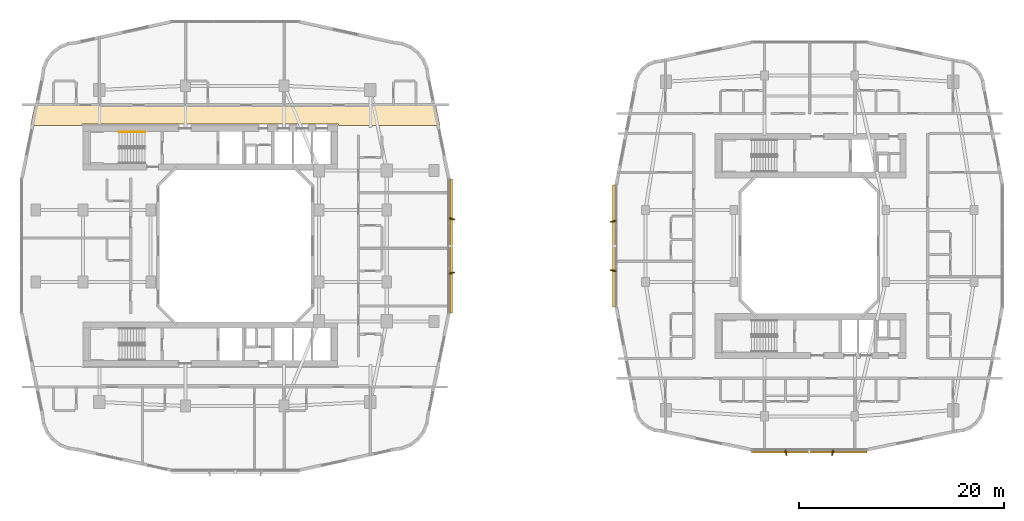
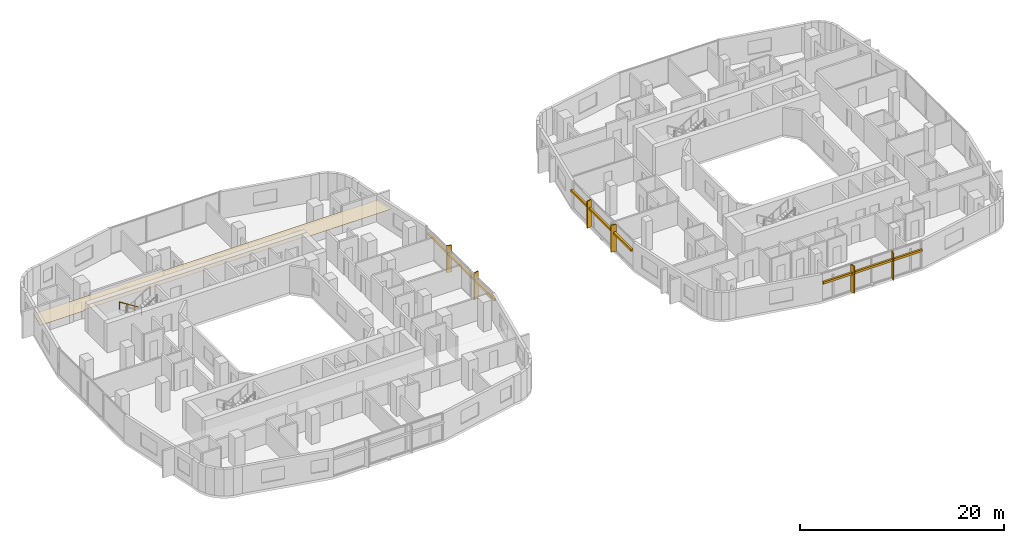
# One storey, part 26 of 27: 9 shading devices, 1 covering, 1 railing.
"""IFC4 building model written with IfcOpenShell, lengths in metres."""

import ifcopenshell
import ifcopenshell.guid

model = None  # the IFC model being written
_history = None  # IfcOwnerHistory: only IFC2X3 demands one
_inside = {}  # id of a spatial element -> (the spatial element, [elements in it])
_under = {}  # id of a project, library or spatial element -> (it, [spatial elements below it])
_declared = {}  # id of a project -> (the project, [libraries it declares])
_typed = {}  # id of a type object -> (the type object, [elements of that type])
_made_of = {}  # id of a material, layer set ... -> (it, [elements and type objects made of it])


def new_model(schema):
    """Start an empty IFC model of exactly this schema.

    Asked for "IFC4X3", IfcOpenShell would pick the latest addendum, in which some entities
    have other attributes; the version numbers below select the first issue.
    IFC2X3 requires an IfcOwnerHistory on every rooted entity: one is made here for all.
    """
    global model, _history
    if schema == "IFC4X3":
        model = ifcopenshell.file(schema_version=(4, 3, 0, 0))
    else:
        model = ifcopenshell.file(schema=schema)
    _inside.clear()
    _under.clear()
    _declared.clear()
    _typed.clear()
    _made_of.clear()
    _history = None
    if model.schema == "IFC2X3":
        org = make("IfcOrganization", Name="unknown")
        user = make(
            "IfcPersonAndOrganization",
            ThePerson=make("IfcPerson", FamilyName="unknown"),
            TheOrganization=org,
        )
        app = make(
            "IfcApplication",
            ApplicationDeveloper=org,
            Version="unknown",
            ApplicationFullName="unknown",
            ApplicationIdentifier="unknown",
        )
        _history = make(
            "IfcOwnerHistory",
            OwningUser=user,
            OwningApplication=app,
            ChangeAction="ADDED",
            CreationDate=0,
        )
    return model


def make(cls, **values):
    """One entity of the class cls with the attributes given. An attribute that is None is left unset."""
    return model.create_entity(
        cls, **{name: value for name, value in values.items() if value is not None}
    )


def rooted(cls, **values):
    """An entity with a GlobalId (a new one), such as an element, a storey or a relation."""
    return make(cls, GlobalId=ifcopenshell.guid.new(), OwnerHistory=_history, **values)


def si_unit(unit_type, name, prefix=None):
    """IfcSIUnit, for example si_unit("LENGTHUNIT", "METRE", prefix="MILLI")."""
    return make("IfcSIUnit", UnitType=unit_type, Prefix=prefix, Name=name)


def derived_unit(unit_type, elements):
    """IfcDerivedUnit: a product of units, each with its exponent."""
    return make(
        "IfcDerivedUnit",
        Elements=[
            make("IfcDerivedUnitElement", Unit=unit, Exponent=power)
            for unit, power in elements
        ],
        UnitType=unit_type,
    )


def assignment(units):
    """IfcUnitAssignment: the units of a project."""
    return None if units is None else make("IfcUnitAssignment", Units=units)


def point(xyz):
    """IfcCartesianPoint."""
    return None if xyz is None else make("IfcCartesianPoint", Coordinates=xyz)


def direction(xyz):
    """IfcDirection."""
    return None if xyz is None else make("IfcDirection", DirectionRatios=xyz)


def frame(location, z_axis=None, x_axis=None):
    """IfcAxis2Placement3D, a coordinate frame: its origin and axes. An axis left out is left unset."""
    return make(
        "IfcAxis2Placement3D",
        Location=point(location),
        Axis=direction(z_axis),
        RefDirection=direction(x_axis),
    )


def frame_2d(location, x_axis=None):
    """IfcAxis2Placement2D, a coordinate frame in the plane: its origin and x axis."""
    return make(
        "IfcAxis2Placement2D", Location=point(location), RefDirection=direction(x_axis)
    )


def origin():
    """The frame at (0, 0, 0) with its axes left unset."""
    return frame((0.0, 0.0, 0.0))


def origin_2d():
    """The frame at (0, 0) in the plane with its x axis left unset."""
    return frame_2d((0.0, 0.0))


def place(relative_to, where):
    """IfcLocalPlacement: puts the frame where relative to a parent placement (None: the world)."""
    return make(
        "IfcLocalPlacement", PlacementRelTo=relative_to, RelativePlacement=where
    )


def context(
    kind, dimensions, precision=None, world=None, true_north=None, identifier=None
):
    """IfcGeometricRepresentationContext, for example the 3D "Model" context."""
    return make(
        "IfcGeometricRepresentationContext",
        ContextIdentifier=identifier,
        ContextType=kind,
        CoordinateSpaceDimension=dimensions,
        Precision=precision,
        WorldCoordinateSystem=world,
        TrueNorth=true_north,
    )


def subcontext(parent, identifier, kind, view, scale=None):
    """IfcGeometricRepresentationSubContext, for example "Body" below "Model"."""
    return make(
        "IfcGeometricRepresentationSubContext",
        ContextIdentifier=identifier,
        ContextType=kind,
        ParentContext=parent,
        TargetScale=scale,
        TargetView=view,
    )


def project(units=None, contexts=None):
    """IfcProject with its units and contexts."""
    return rooted(
        "IfcProject",
        Name="project",
        RepresentationContexts=contexts,
        UnitsInContext=assignment(units),
    )


def spatial(cls, under=None, at=None, **own):
    """A site, building, storey or space (cls), placed at a placement, below another one or the project."""
    s = rooted(cls, ObjectPlacement=at, **own)
    if under is not None:
        _under.setdefault(under.id(), (under, []))[1].append(s)
    return s


def polyline(points):
    """IfcPolyline through the points."""
    return make("IfcPolyline", Points=[point(p) for p in points])


def profile(cls, at=None, kind="AREA", **sizes):
    """A parametric profile (cls). Its sizes go by their IFC names, for example OverallWidth=200.0."""
    return make(cls, ProfileType=kind, Position=at, **sizes)


def rectangle(**sizes):
    """IfcRectangleProfileDef."""
    return profile("IfcRectangleProfileDef", **sizes)


def circle(**sizes):
    """IfcCircleProfileDef."""
    return profile("IfcCircleProfileDef", **sizes)


def outline(outer, holes=None, kind="AREA"):
    """IfcArbitraryClosedProfileDef: a profile drawn as a closed curve; with holes, ...WithVoids."""
    if holes is None:
        return make("IfcArbitraryClosedProfileDef", ProfileType=kind, OuterCurve=outer)
    return make(
        "IfcArbitraryProfileDefWithVoids",
        ProfileType=kind,
        OuterCurve=outer,
        InnerCurves=holes,
    )


def extrude(swept, where, along, depth):
    """IfcExtrudedAreaSolid: the profile swept, set in the frame where, extruded along a direction by depth."""
    return make(
        "IfcExtrudedAreaSolid",
        SweptArea=swept,
        Position=where,
        ExtrudedDirection=direction(along),
        Depth=depth,
    )


def shape(context_of_items, identifier, shape_type, items):
    """IfcShapeRepresentation: the items that make up one representation, for example the "Body"."""
    return make(
        "IfcShapeRepresentation",
        ContextOfItems=context_of_items,
        RepresentationIdentifier=identifier,
        RepresentationType=shape_type,
        Items=items,
    )


def material(Name=None, Category=None):
    """IfcMaterial."""
    return make("IfcMaterial", Name=Name, Category=Category)


def layer(
    of_material, thickness, ventilated=None, Name=None, Category=None, Priority=None
):
    """IfcMaterialLayer: one layer of a wall or slab, of a material (None: an air gap)."""
    return make(
        "IfcMaterialLayer",
        Material=of_material,
        LayerThickness=thickness,
        IsVentilated=ventilated,
        Name=Name,
        Category=Category,
        Priority=Priority,
    )


def layer_set(layers, Name=None):
    """IfcMaterialLayerSet."""
    return make("IfcMaterialLayerSet", MaterialLayers=layers, LayerSetName=Name)


def made_of(thing, what):
    """Note that an element or type object is made of a material, layer set ...; save() writes the relation."""
    if what is not None:
        _made_of.setdefault(what.id(), (what, []))[1].append(thing)
    return thing


def type_object(cls, material=None, **own):
    """A type object (cls), such as IfcWallType, which elements share."""
    return made_of(rooted(cls, **own), material)


def element(
    cls,
    number,
    at=None,
    inside=None,
    cuts=None,
    type_object=None,
    material=None,
    context=None,
    identifier="Body",
    shape_type=None,
    held_by="IfcProductDefinitionShape",
    body=None,
    shapes=None,
    **own,
):
    """One element of the class cls, such as IfcWall. Its Tag is "e" and its number.

    at: its placement. inside: the storey or other place that contains it. cuts: it is an
    opening in that element (IfcRelVoidsElement). A single representation is given by context,
    identifier, shape_type and body (its items); several are given by shapes. held_by: the class
    of the entity that holds the representations. save() writes the other relations.
    """
    e = rooted(cls, Tag="e%d" % number, ObjectPlacement=at, **own)
    if body is not None:
        shapes = [shape(context, identifier, shape_type, body)]
    if shapes is not None:
        e.Representation = make(held_by, Representations=shapes)
    if inside is not None:
        _inside.setdefault(inside.id(), (inside, []))[1].append(e)
    if cuts is not None:
        rooted(
            "IfcRelVoidsElement", RelatingBuildingElement=cuts, RelatedOpeningElement=e
        )
    if type_object is not None:
        _typed.setdefault(type_object.id(), (type_object, []))[1].append(e)
    return made_of(e, material)


def aggregate(whole, parts):
    """IfcRelAggregates: a whole, such as a stair, and the parts it consists of."""
    return rooted("IfcRelAggregates", RelatingObject=whole, RelatedObjects=parts)


def save(model, path):
    """Write the relations noted so far, then the file.

    IfcRelAggregates (storeys below a building ...), IfcRelContainedInSpatialStructure (elements
    in a storey), IfcRelDefinesByType, IfcRelAssociatesMaterial and IfcRelDeclares: one each for
    every whole, place, type object, material and project.
    """
    for whole, parts in _under.values():
        aggregate(whole, parts)
    for where, things in _inside.values():
        rooted(
            "IfcRelContainedInSpatialStructure",
            RelatedElements=things,
            RelatingStructure=where,
        )
    for kind, things in _typed.values():
        rooted("IfcRelDefinesByType", RelatedObjects=things, RelatingType=kind)
    for what, things in _made_of.values():
        rooted("IfcRelAssociatesMaterial", RelatedObjects=things, RelatingMaterial=what)
    for by, libraries in _declared.values():
        rooted("IfcRelDeclares", RelatingContext=by, RelatedDefinitions=libraries)
    model.write(path)


model = new_model("IFC4")

# Units and contexts
model_context = context("Model", 3, precision=1e-05, world=origin(), true_north=direction((0.0, 1.0)))
body_context = subcontext(model_context, "Body", "Model", "MODEL_VIEW")
ifc_project = project(units=[si_unit("LENGTHUNIT", "METRE"), si_unit("AREAUNIT", "SQUARE_METRE"), si_unit("VOLUMEUNIT", "CUBIC_METRE"), si_unit("PLANEANGLEUNIT", "RADIAN"), si_unit("MASSUNIT", "GRAM", prefix="KILO"), derived_unit("THERMALTRANSMITTANCEUNIT", [(si_unit("POWERUNIT", "WATT"), 1), (si_unit("LENGTHUNIT", "METRE"), -2), (si_unit("THERMODYNAMICTEMPERATUREUNIT", "KELVIN"), -1)])], contexts=[model_context])

# Site, building, storey
site_placement = place(None, origin())
site = spatial("IfcSite", under=ifc_project, at=site_placement, CompositionType="ELEMENT")
building_placement = place(site_placement, origin())
building = spatial("IfcBuilding", under=site, at=building_placement, Name="Kivonza Crest Hotel", CompositionType="ELEMENT")
storey_placement = place(building_placement, frame((0.0, 0.0, 38.0)))
storey = spatial("IfcBuildingStorey", under=building, at=storey_placement, Name="L09", CompositionType="ELEMENT", Elevation=38.0)

# Covering
ifc_material_1 = material(Name="Mineral-fibre acoustic ceiling tile", Category="gypsum")
ifc_layer = layer(ifc_material_1, 0.02490234375)
ifc_layer_set = layer_set([ifc_layer], Name="Mineral-fibre acoustic ceiling tile")
covering_type = type_object("IfcCoveringType", Name="CV-CEIL-ACOU", PredefinedType="CEILING", material=ifc_layer_set)
covering_placement = place(storey_placement, frame((0.0, 0.0, 2.449951171875)))
element("IfcCovering", 1, at=covering_placement, inside=storey, type_object=covering_type, Name="L09 Hotel North Guest Corridor suspended ceiling", PredefinedType="CEILING", context=body_context, shape_type="SweptSolid", body=[
    extrude(outline(polyline([(1.506103515625, 38.7900390625), (1.083984375, 36.719970703125), (6.10009765625, 36.719970703125), (6.10009765625, 36.860107421875), (31.10009765625, 36.860107421875), (31.10009765625, 36.719970703125), (40.99609375, 36.719970703125), (40.573974609375, 38.7900390625), (1.506103515625, 38.7900390625)])), origin(), (0.0, 0.0, 1.0), 0.025146484375),
])

# Railing
ifc_material_2 = material(Name="Brushed stainless steel handrail", Category="steel")
railing_type = type_object("IfcRailingType", Name="RL-HAND-900", PredefinedType="HANDRAIL", material=ifc_material_2)
railing_placement = place(storey_placement, frame((12.239990234375, 36.110107421875, 0.175048828125)))
element("IfcRailing", 2, at=railing_placement, inside=storey, type_object=railing_type, Name="L09 ST-T1-N stair handrail 1", PredefinedType="HANDRAIL", context=body_context, shape_type="SweptSolid", body=[
    extrude(circle(Radius=0.02392578125, at=origin_2d()), frame((0.0, 0.0, 0.8759765625), z_axis=(-0.848007534815, 0.0, 0.529984170421), x_axis=(0.0, -1.0, 0.0)), (0.0, 0.0, 1.0), 2.9716796875),
    extrude(circle(Radius=0.02099609375, at=origin_2d()), origin(), (0.0, 0.0, 1.0), 0.851806640625),
    extrude(circle(Radius=0.02099609375, at=origin_2d()), frame((-0.840087890625, 0.0, 0.52490234375)), (0.0, 0.0, 1.0), 0.851806640625),
    extrude(circle(Radius=0.02099609375, at=origin_2d()), frame((-1.679931640625, 0.0, 1.050048828125)), (0.0, 0.0, 1.0), 0.851806640625),
    extrude(circle(Radius=0.02099609375, at=origin_2d()), frame((-2.52001953125, 0.0, 1.574951171875)), (0.0, 0.0, 1.0), 0.851806640625),
])

# Shading devices
ifc_material_3 = material(Name="Kiln-fired Nairobi red-ochre terracotta", Category="masonry")
shading_device_type_1 = type_object("IfcShadingDeviceType", Name="SH-BAGUETTE-300", PredefinedType="USERDEFINED", material=ifc_material_3)
shading_device_1_placement = place(storey_placement, frame((42.080078125, 25.0, 2.1240234375), z_axis=(0.0, 0.0, 1.0), x_axis=(0.0, 1.0, 0.0)))
element("IfcShadingDevice", 3, at=shading_device_1_placement, inside=storey, type_object=shading_device_type_1, Name="L09 terracotta baguette screen CW-T1-L09-17", ObjectType="BAGUETTE", PredefinedType="USERDEFINED", context=body_context, shape_type="SweptSolid", body=[
    extrude(rectangle(XDim=13.080078125, YDim=0.219970703125, at=origin_2d()), origin(), (0.0, 0.0, 1.0), 0.260009765625),
])
shading_device_2_placement = place(storey_placement, frame((76.9599609375, 4.919921875, 2.14501953125), z_axis=(0.0, 0.0, 1.0), x_axis=(1.0, 0.0, 0.0)))
element("IfcShadingDevice", 4, at=shading_device_2_placement, inside=storey, type_object=shading_device_type_1, Name="L09 terracotta baguette screen CW-T2-L09-08", ObjectType="BAGUETTE", PredefinedType="USERDEFINED", context=body_context, shape_type="SweptSolid", body=[
    extrude(rectangle(XDim=11.256103515625, YDim=0.219970703125, at=origin_2d()), origin(), (0.0, 0.0, 1.0), 0.260009765625),
])
shading_device_3_placement = place(storey_placement, frame((57.919921875, 25.0, 2.14501953125), z_axis=(0.0, 0.0, 1.0), x_axis=(0.0, -1.0, 0.0)))
element("IfcShadingDevice", 5, at=shading_device_3_placement, inside=storey, type_object=shading_device_type_1, Name="L09 terracotta baguette screen CW-T2-L09-35", ObjectType="BAGUETTE", PredefinedType="USERDEFINED", context=body_context, shape_type="SweptSolid", body=[
    extrude(rectangle(XDim=11.8798828125, YDim=0.219970703125, at=origin_2d()), origin(), (0.0, 0.0, 1.0), 0.260009765625),
])
ifc_material_4 = material(Name="Kiln-fired terracotta over extruded aluminium spine", Category="masonry")
shading_device_type_2 = type_object("IfcShadingDeviceType", Name="SH-FIN-550", PredefinedType="USERDEFINED", material=ifc_material_4)
for number, where, z_axis, x_axis, name in (
    (6, (42.139892578125, 22.360107421875, 0.0), (0.0, 0.0, 1.0), (-0.2419218956, 0.970295726276, 0.0), "L09 vertical solar shading fin CW-T1-L09-17-1"),
    (7, (42.139892578125, 27.639892578125, 0.0), (0.0, 0.0, 1.0), (0.2419218956, 0.970295726276, 0.0), "L09 vertical solar shading fin CW-T1-L09-17-2"),
):
    element("IfcShadingDevice", number, at=place(storey_placement, frame(where, z_axis=z_axis, x_axis=x_axis)), inside=storey, type_object=shading_device_type_2, Name=name, ObjectType="FIN", PredefinedType="USERDEFINED", context=body_context, shape_type="SweptSolid", body=[
        extrude(rectangle(XDim=0.1201171875, YDim=0.550048828125, at=origin_2d()), origin(), (0.0, 0.0, 1.0), 3.219970703125),
    ])
for number, where, z_axis, x_axis, name in (
    (8, (74.68505859375, 4.860107421875, 0.0), (0.0, 0.0, 1.0), (0.970295726276, 0.2419218956, 0.0), "L09 vertical solar shading fin CW-T2-L09-08-1"),
    (9, (79.235107421875, 4.860107421875, 0.0), (0.0, 0.0, 1.0), (0.970295726276, -0.2419218956, 0.0), "L09 vertical solar shading fin CW-T2-L09-08-2"),
    (10, (57.860107421875, 27.39990234375, 0.0), (0.0, 0.0, 1.0), (0.2419218956, -0.970295726276, 0.0), "L09 vertical solar shading fin CW-T2-L09-35-1"),
    (11, (57.860107421875, 22.60009765625, 0.0), (0.0, 0.0, 1.0), (-0.2419218956, -0.970295726276, 0.0), "L09 vertical solar shading fin CW-T2-L09-35-2"),
):
    element("IfcShadingDevice", number, at=place(storey_placement, frame(where, z_axis=z_axis, x_axis=x_axis)), inside=storey, type_object=shading_device_type_2, Name=name, ObjectType="FIN", PredefinedType="USERDEFINED", context=body_context, shape_type="SweptSolid", body=[
        extrude(rectangle(XDim=0.1201171875, YDim=0.550048828125, at=origin_2d()), origin(), (0.0, 0.0, 1.0), 3.25),
    ])

save(model, "model.ifc")
